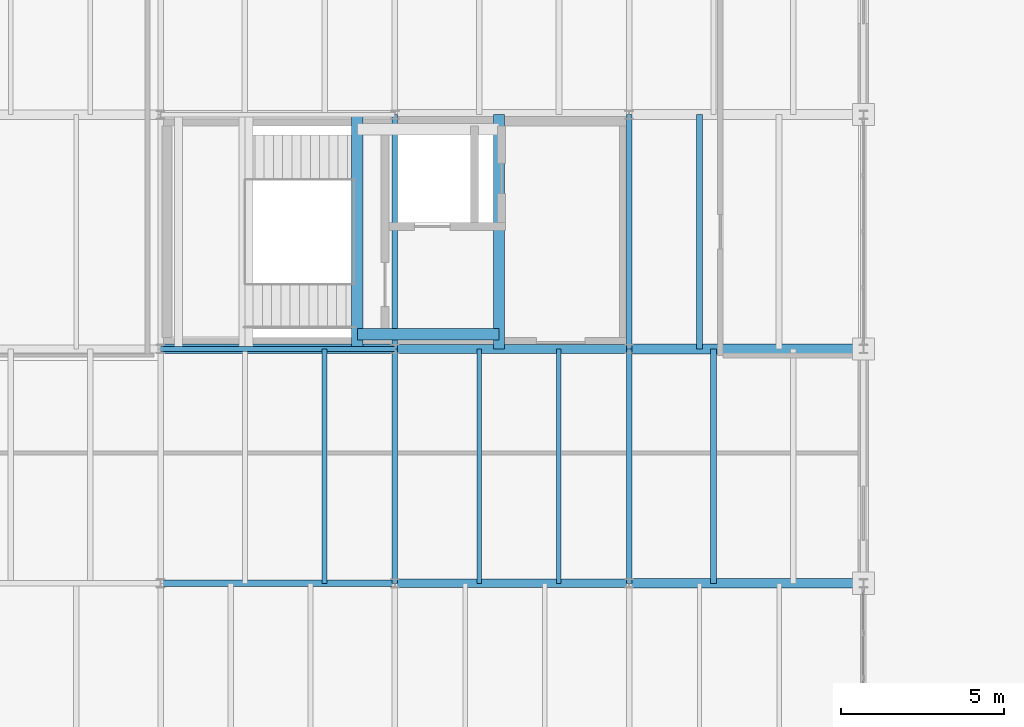
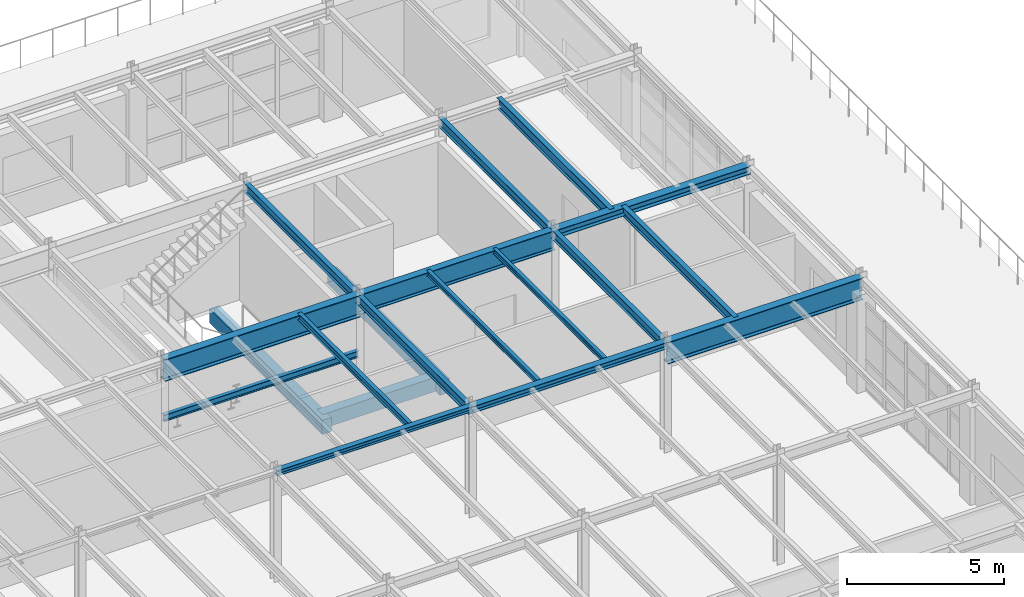
# One storey, part 46 of 101: 19 beams.
"""IFC4 building model written with IfcOpenShell, lengths in metres."""

from ifc_helpers import new_model, si_unit, direction, frame, origin, origin_2d, place, context, subcontext, project, spatial, rectangle, i_section, extrude, material, material_profile, profile_set, type_object, element, save


model = new_model("IFC4")

# Units and contexts
model_context = context("Model", 3, precision=1e-05, world=origin(), true_north=direction((0.0, 1.0)))
body_context = subcontext(model_context, "Body", "Model", "MODEL_VIEW")
ifc_project = project(units=[si_unit("LENGTHUNIT", "METRE"), si_unit("AREAUNIT", "SQUARE_METRE"), si_unit("VOLUMEUNIT", "CUBIC_METRE"), si_unit("PLANEANGLEUNIT", "RADIAN"), si_unit("MASSUNIT", "GRAM", prefix="KILO")], contexts=[model_context])

# Site, building, storey
site_placement = place(None, origin())
site = spatial("IfcSite", under=ifc_project, at=site_placement, CompositionType="ELEMENT")
building_placement = place(site_placement, origin())
building = spatial("IfcBuilding", under=site, at=building_placement, Name="Kemerveld Promenade Tramway Depot", CompositionType="ELEMENT")
storey_placement = place(building_placement, frame((0.0, 0.0, 9.89990234375)))
storey = spatial("IfcBuildingStorey", under=building, at=storey_placement, Name="L02", CompositionType="ELEMENT", Elevation=9.89990234375)

# Beams
ifc_material_1 = material(Name="Steel S355", Category="steel")
ifc_material_profile_1 = material_profile(ifc_material_1, i_section(OverallWidth=0.293701171875, OverallDepth=0.850830078125, WebThickness=0.01611328125, FlangeThickness=0.02685546875, FilletRadius=0.017822265625, at=origin_2d()), Name="838x292x226 UB")
ifc_profile_set_1 = profile_set([ifc_material_profile_1], Name="Steel S355")
beam_type_1 = type_object("IfcBeamType", Name="BM-G01", PredefinedType="BEAM", material=ifc_profile_set_1)
for number, where, z_axis, x_axis, name in (
    (1, (43.199951171875, 50.39990234375, 3.859619140625), (1.0, 0.0, 0.0), (0.0, 1.0, 0.0), "BMX-L02-07-08-H"),
    (2, (28.800048828125, 57.60009765625, 3.854736328125), (1.0, 0.0, 0.0), (0.0, 1.0, 0.0), "BMX-L02-05-06-J"),
):
    element("IfcBeam", number, at=place(storey_placement, frame(where, z_axis=z_axis, x_axis=x_axis)), inside=storey, type_object=beam_type_1, Name=name, PredefinedType="BEAM", context=body_context, shape_type="SweptSolid", body=[
        extrude(i_section(OverallWidth=0.293701171875, OverallDepth=0.850830078125, WebThickness=0.01611328125, FlangeThickness=0.02685546875, FilletRadius=0.017822265625, at=origin_2d()), origin(), (0.0, 0.0, 1.0), 7.199951171875),
    ])
ifc_material_profile_2 = material_profile(ifc_material_1, i_section(OverallWidth=0.2666015625, OverallDepth=0.76220703125, WebThickness=0.014404296875, FlangeThickness=0.021484375, FilletRadius=0.0166015625, at=origin_2d()), Name="762x267x173 UB")
ifc_profile_set_2 = profile_set([ifc_material_profile_2], Name="Steel S355")
beam_type_2 = type_object("IfcBeamType", Name="BM-G02", PredefinedType="BEAM", material=ifc_profile_set_2)
beam_1_placement = place(storey_placement, frame((36.0, 57.60009765625, 3.89892578125), z_axis=(1.0, 0.0, 0.0), x_axis=(0.0, 1.0, 0.0)))
element("IfcBeam", 3, at=beam_1_placement, inside=storey, type_object=beam_type_2, Name="BMX-L02-06-07-J", PredefinedType="BEAM", context=body_context, shape_type="SweptSolid", body=[
    extrude(i_section(OverallWidth=0.2666015625, OverallDepth=0.76220703125, WebThickness=0.014404296875, FlangeThickness=0.021484375, FilletRadius=0.0166015625, at=origin_2d()), origin(), (0.0, 0.0, 1.0), 7.199951171875),
])
ifc_material_profile_3 = material_profile(ifc_material_1, i_section(OverallWidth=0.172119140625, OverallDepth=0.35791015625, WebThickness=0.008056640625, FlangeThickness=0.012939453125, FilletRadius=0.01025390625, at=origin_2d()), Name="356x171x57 UB")
ifc_profile_set_3 = profile_set([ifc_material_profile_3], Name="Steel S355")
beam_type_3 = type_object("IfcBeamType", Name="BM-G08", PredefinedType="BEAM", material=ifc_profile_set_3)
beam_2_placement = place(storey_placement, frame((36.0, 50.39990234375, 4.10107421875), z_axis=(0.0, 1.0, 0.0), x_axis=(-1.0, 0.0, 0.0)))
element("IfcBeam", 4, at=beam_2_placement, inside=storey, type_object=beam_type_3, Name="BMY-L02-06-H-J", PredefinedType="BEAM", context=body_context, shape_type="SweptSolid", body=[
    extrude(i_section(OverallWidth=0.172119140625, OverallDepth=0.35791015625, WebThickness=0.008056640625, FlangeThickness=0.012939453125, FilletRadius=0.01025390625, at=origin_2d()), origin(), (0.0, 0.0, 1.0), 7.2001953125),
])
beam_3_placement = place(storey_placement, frame((36.0, 57.60009765625, 4.10107421875), z_axis=(0.0, 1.0, 0.0), x_axis=(-1.0, 0.0, 0.0)))
element("IfcBeam", 5, at=beam_3_placement, inside=storey, type_object=beam_type_3, Name="BMY-L02-06-J-K", PredefinedType="BEAM", context=body_context, shape_type="SweptSolid", body=[
    extrude(i_section(OverallWidth=0.172119140625, OverallDepth=0.35791015625, WebThickness=0.008056640625, FlangeThickness=0.012939453125, FilletRadius=0.01025390625, at=origin_2d()), origin(), (0.0, 0.0, 1.0), 7.199951171875),
])
beam_4_placement = place(storey_placement, frame((43.199951171875, 50.39990234375, 4.10107421875), z_axis=(0.0, 1.0, 0.0), x_axis=(-1.0, 0.0, 0.0)))
element("IfcBeam", 6, at=beam_4_placement, inside=storey, type_object=beam_type_3, Name="BMY-L02-07-H-J", PredefinedType="BEAM", context=body_context, shape_type="SweptSolid", body=[
    extrude(i_section(OverallWidth=0.172119140625, OverallDepth=0.35791015625, WebThickness=0.008056640625, FlangeThickness=0.012939453125, FilletRadius=0.01025390625, at=origin_2d()), origin(), (0.0, 0.0, 1.0), 7.2001953125),
])
beam_5_placement = place(storey_placement, frame((43.199951171875, 57.60009765625, 4.10107421875), z_axis=(0.0, 1.0, 0.0), x_axis=(-1.0, 0.0, 0.0)))
element("IfcBeam", 7, at=beam_5_placement, inside=storey, type_object=beam_type_3, Name="BMY-L02-07-J-K", PredefinedType="BEAM", context=body_context, shape_type="SweptSolid", body=[
    extrude(i_section(OverallWidth=0.172119140625, OverallDepth=0.35791015625, WebThickness=0.008056640625, FlangeThickness=0.012939453125, FilletRadius=0.01025390625, at=origin_2d()), origin(), (0.0, 0.0, 1.0), 7.199951171875),
])
ifc_material_profile_4 = material_profile(ifc_material_1, i_section(OverallWidth=0.307373046875, OverallDepth=0.314453125, WebThickness=0.011962890625, FlangeThickness=0.018798828125, FilletRadius=0.01513671875, at=origin_2d()), Name="305x305x118 UC")
ifc_profile_set_4 = profile_set([ifc_material_profile_4], Name="Steel S355")
beam_type_4 = type_object("IfcBeamType", Name="BM-G12", PredefinedType="BEAM", material=ifc_profile_set_4)
beam_6_placement = place(storey_placement, frame((43.199951171875, 57.60009765625, 4.122802734375), z_axis=(1.0, 0.0, 0.0), x_axis=(0.0, 1.0, 0.0)))
element("IfcBeam", 8, at=beam_6_placement, inside=storey, type_object=beam_type_4, Name="BMX-L02-07-08-J", PredefinedType="BEAM", context=body_context, shape_type="SweptSolid", body=[
    extrude(i_section(OverallWidth=0.307373046875, OverallDepth=0.314453125, WebThickness=0.011962890625, FlangeThickness=0.018798828125, FilletRadius=0.01513671875, at=origin_2d()), origin(), (0.0, 0.0, 1.0), 7.199951171875),
])
ifc_material_profile_5 = material_profile(ifc_material_1, i_section(OverallWidth=0.146484375, OverallDepth=0.256103515625, WebThickness=0.00634765625, FlangeThickness=0.010986328125, FilletRadius=0.007568359375, at=origin_2d()), Name="254x146x37 UB")
ifc_profile_set_5 = profile_set([ifc_material_profile_5], Name="Steel S355")
beam_type_5 = type_object("IfcBeamType", Name="BM-J02", PredefinedType="JOIST", material=ifc_profile_set_5)
beam_7_placement = place(storey_placement, frame((33.840087890625, 50.39990234375, 4.152099609375), z_axis=(0.0, 1.0, 0.0), x_axis=(-1.0, 0.0, 0.0)))
element("IfcBeam", 9, at=beam_7_placement, inside=storey, type_object=beam_type_5, Name="JST-L02-05-H-2", PredefinedType="JOIST", context=body_context, shape_type="SweptSolid", body=[
    extrude(i_section(OverallWidth=0.146484375, OverallDepth=0.256103515625, WebThickness=0.00634765625, FlangeThickness=0.010986328125, FilletRadius=0.007568359375, at=origin_2d()), origin(), (0.0, 0.0, 1.0), 7.2001953125),
])
beam_8_placement = place(storey_placement, frame((28.800048828125, 57.60009765625, 1.942138671875), z_axis=(1.0, 0.0, 0.0), x_axis=(0.0, 1.0, 0.0)))
element("IfcBeam", 10, at=beam_8_placement, inside=storey, type_object=beam_type_5, Name="BM-HLY-ST-03-L02-S", PredefinedType="JOIST", context=body_context, shape_type="SweptSolid", body=[
    extrude(i_section(OverallWidth=0.146484375, OverallDepth=0.256103515625, WebThickness=0.00634765625, FlangeThickness=0.010986328125, FilletRadius=0.007568359375, at=origin_2d()), origin(), (0.0, 0.0, 1.0), 7.199951171875),
])
ifc_material_profile_6 = material_profile(ifc_material_1, i_section(OverallWidth=0.13330078125, OverallDepth=0.203125, WebThickness=0.005615234375, FlangeThickness=0.0078125, FilletRadius=0.007568359375, at=origin_2d()), Name="203x133x25 UB")
ifc_profile_set_6 = profile_set([ifc_material_profile_6], Name="Steel S355")
beam_type_6 = type_object("IfcBeamType", Name="BM-J03", PredefinedType="JOIST", material=ifc_profile_set_6)
for number, where, z_axis, x_axis, name in (
    (11, (38.592041015625, 50.39990234375, 4.178466796875), (0.0, 1.0, 0.0), (-1.0, 0.0, 0.0), "JST-L02-06-H-1"),
    (12, (41.0400390625, 50.39990234375, 4.178466796875), (0.0, 1.0, 0.0), (-1.0, 0.0, 0.0), "JST-L02-06-H-2"),
):
    element("IfcBeam", number, at=place(storey_placement, frame(where, z_axis=z_axis, x_axis=x_axis)), inside=storey, type_object=beam_type_6, Name=name, PredefinedType="JOIST", context=body_context, shape_type="SweptSolid", body=[
        extrude(i_section(OverallWidth=0.13330078125, OverallDepth=0.203125, WebThickness=0.005615234375, FlangeThickness=0.0078125, FilletRadius=0.007568359375, at=origin_2d()), origin(), (0.0, 0.0, 1.0), 7.2001953125),
    ])
ifc_material_profile_7 = material_profile(ifc_material_1, i_section(OverallWidth=0.172119140625, OverallDepth=0.35791015625, WebThickness=0.008056640625, FlangeThickness=0.012939453125, FilletRadius=0.01025390625, at=origin_2d()), Name="356x171x57 UB")
ifc_profile_set_7 = profile_set([ifc_material_profile_7], Name="Steel S355")
beam_type_7 = type_object("IfcBeamType", Name="BM-J04", PredefinedType="JOIST", material=ifc_profile_set_7)
beam_9_placement = place(storey_placement, frame((45.7919921875, 50.39990234375, 4.106201171875), z_axis=(0.0, 1.0, 0.0), x_axis=(-1.0, 0.0, 0.0)))
element("IfcBeam", 13, at=beam_9_placement, inside=storey, type_object=beam_type_7, Name="JST-L02-07-H-1", PredefinedType="JOIST", context=body_context, shape_type="SweptSolid", body=[
    extrude(i_section(OverallWidth=0.172119140625, OverallDepth=0.35791015625, WebThickness=0.008056640625, FlangeThickness=0.012939453125, FilletRadius=0.01025390625, at=origin_2d()), origin(), (0.0, 0.0, 1.0), 7.2001953125),
])
ifc_material_profile_8 = material_profile(ifc_material_1, i_section(OverallWidth=0.1787109375, OverallDepth=0.409423828125, WebThickness=0.0087890625, FlangeThickness=0.014404296875, FilletRadius=0.01025390625, at=origin_2d()), Name="406x178x67 UB")
ifc_profile_set_8 = profile_set([ifc_material_profile_8], Name="Steel S355")
beam_type_8 = type_object("IfcBeamType", Name="BM-J05", PredefinedType="JOIST", material=ifc_profile_set_8)
beam_10_placement = place(storey_placement, frame((45.360107421875, 57.60009765625, 4.080322265625), z_axis=(0.0, 1.0, 0.0), x_axis=(-1.0, 0.0, 0.0)))
element("IfcBeam", 14, at=beam_10_placement, inside=storey, type_object=beam_type_8, Name="JST-L02-07-J-1", PredefinedType="JOIST", context=body_context, shape_type="SweptSolid", body=[
    extrude(i_section(OverallWidth=0.1787109375, OverallDepth=0.409423828125, WebThickness=0.0087890625, FlangeThickness=0.014404296875, FilletRadius=0.01025390625, at=origin_2d()), origin(), (0.0, 0.0, 1.0), 7.199951171875),
])
ifc_material_profile_9 = material_profile(ifc_material_1, i_section(OverallWidth=0.205810546875, OverallDepth=0.209716796875, WebThickness=0.009521484375, FlangeThickness=0.01416015625, FilletRadius=0.01025390625, at=origin_2d()), Name="203x203x60 UC")
ifc_profile_set_9 = profile_set([ifc_material_profile_9], Name="Steel S355")
beam_type_9 = type_object("IfcBeamType", Name="BM-LN3", PredefinedType="LINTEL", material=ifc_profile_set_9)
beam_11_placement = place(storey_placement, frame((28.800048828125, 50.39990234375, 4.18017578125), z_axis=(1.0, 0.0, 0.0), x_axis=(0.0, 1.0, 0.0)))
element("IfcBeam", 15, at=beam_11_placement, inside=storey, type_object=beam_type_9, Name="BMX-L02-05-06-H", PredefinedType="LINTEL", context=body_context, shape_type="SweptSolid", body=[
    extrude(i_section(OverallWidth=0.205810546875, OverallDepth=0.209716796875, WebThickness=0.009521484375, FlangeThickness=0.01416015625, FilletRadius=0.01025390625, at=origin_2d()), origin(), (0.0, 0.0, 1.0), 7.199951171875),
])
ifc_material_profile_10 = material_profile(ifc_material_1, i_section(OverallWidth=0.25634765625, OverallDepth=0.26025390625, WebThickness=0.01025390625, FlangeThickness=0.017333984375, FilletRadius=0.0126953125, at=origin_2d()), Name="254x254x89 UC")
ifc_profile_set_10 = profile_set([ifc_material_profile_10], Name="Steel S355")
beam_type_10 = type_object("IfcBeamType", Name="BM-LN4", PredefinedType="LINTEL", material=ifc_profile_set_10)
beam_12_placement = place(storey_placement, frame((36.0, 50.39990234375, 4.155029296875), z_axis=(1.0, 0.0, 0.0), x_axis=(0.0, 1.0, 0.0)))
element("IfcBeam", 16, at=beam_12_placement, inside=storey, type_object=beam_type_10, Name="BMX-L02-06-07-H", PredefinedType="LINTEL", context=body_context, shape_type="SweptSolid", body=[
    extrude(i_section(OverallWidth=0.25634765625, OverallDepth=0.26025390625, WebThickness=0.01025390625, FlangeThickness=0.017333984375, FilletRadius=0.0126953125, at=origin_2d()), origin(), (0.0, 0.0, 1.0), 7.199951171875),
])
ifc_material_2 = material(Name="Concrete C40/50", Category="concrete")
ifc_material_profile_11 = material_profile(ifc_material_2, rectangle(XDim=0.35009765625, YDim=0.550048828125, at=origin_2d()), Name="RC-BM-350x550")
ifc_profile_set_11 = profile_set([ifc_material_profile_11], Name="Concrete C40/50")
beam_type_11 = type_object("IfcBeamType", Name="BM-RC3", PredefinedType="BEAM", material=ifc_profile_set_11)
for number, where, z_axis, x_axis, name in (
    (17, (34.85009765625, 57.60009765625, -0.5048828125), (0.0, 1.0, 0.0), (-1.0, 0.0, 0.0), "BM-CORE-C3-L02-W"),
    (18, (39.199951171875, 57.60009765625, -0.5048828125), (0.0, 1.0, 0.0), (-1.0, 0.0, 0.0), "BM-CORE-C3-L02-E"),
):
    element("IfcBeam", number, at=place(storey_placement, frame(where, z_axis=z_axis, x_axis=x_axis)), inside=storey, type_object=beam_type_11, Name=name, PredefinedType="BEAM", context=body_context, shape_type="SweptSolid", body=[
        extrude(rectangle(XDim=0.35009765625, YDim=0.550048828125, at=origin_2d()), origin(), (0.0, 0.0, 1.0), 7.199951171875),
    ])
beam_13_placement = place(storey_placement, frame((34.85009765625, 58.050048828125, -0.5048828125), z_axis=(1.0, 0.0, 0.0), x_axis=(0.0, 1.0, 0.0)))
element("IfcBeam", 19, at=beam_13_placement, inside=storey, type_object=beam_type_11, Name="BM-COREX-C3-L02-S", PredefinedType="BEAM", context=body_context, shape_type="SweptSolid", body=[
    extrude(rectangle(XDim=0.35009765625, YDim=0.550048828125, at=origin_2d()), origin(), (0.0, 0.0, 1.0), 4.349853515625),
])

save(model, "model.ifc")
